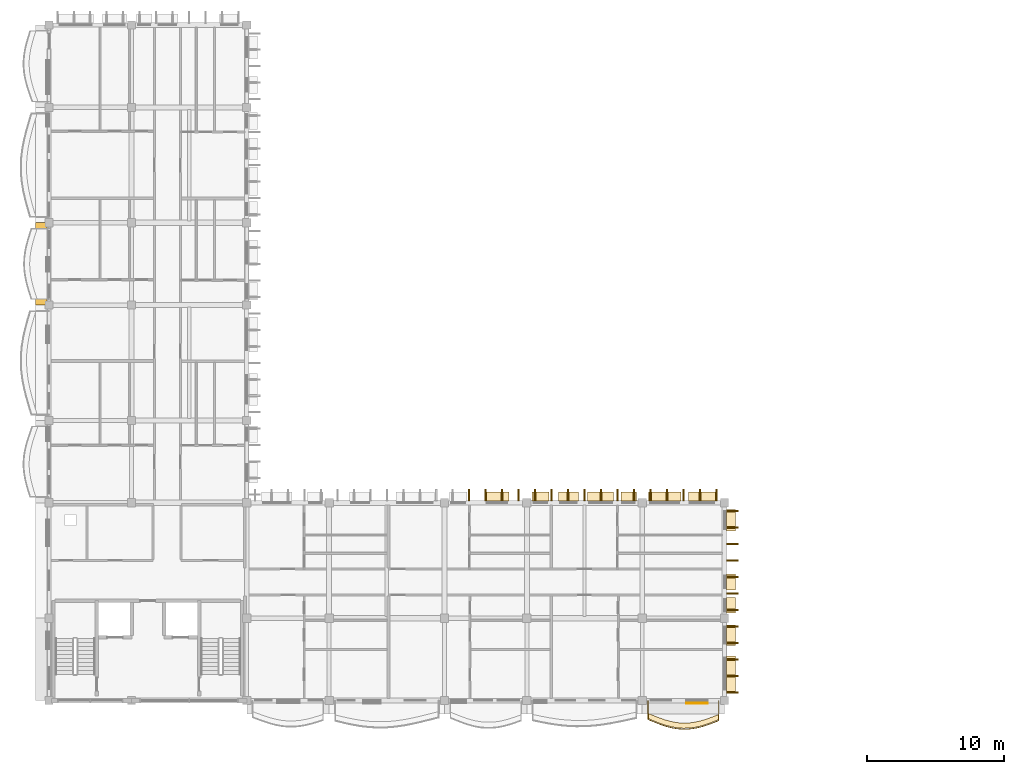
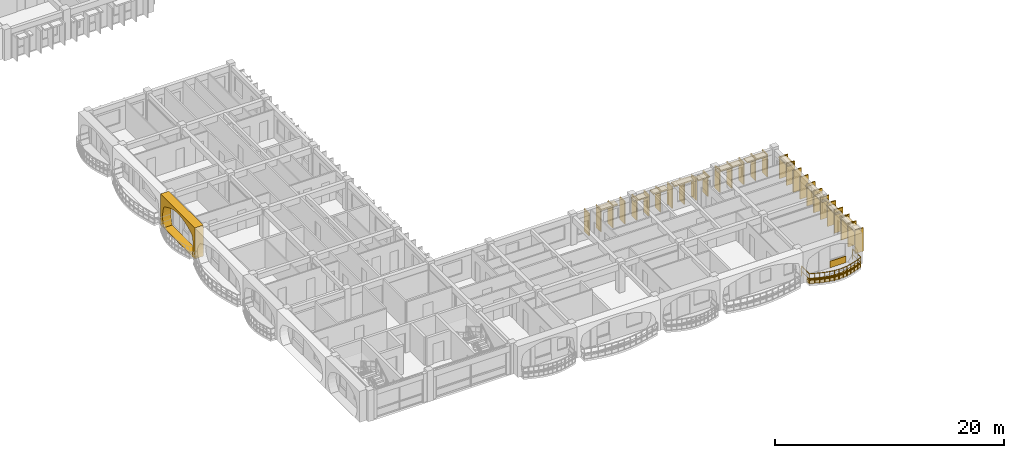
# One storey, part 45 of 70: 43 coverings, 1 railing.
"""IFC4 building model written with IfcOpenShell, lengths in metres."""

from ifc_helpers import new_model, si_unit, direction, frame, origin, origin_2d, place, context, subcontext, project, spatial, polyline, rectangle, outline, extrude, material, layer, layer_set, type_object, element, save


model = new_model("IFC4")

# Units and contexts
model_context = context("Model", 3, precision=1e-05, world=origin(), true_north=direction((0.0, 1.0)))
body_context = subcontext(model_context, "Body", "Model", "MODEL_VIEW")
ifc_project = project(units=[si_unit("LENGTHUNIT", "METRE"), si_unit("AREAUNIT", "SQUARE_METRE"), si_unit("VOLUMEUNIT", "CUBIC_METRE"), si_unit("PLANEANGLEUNIT", "RADIAN"), si_unit("MASSUNIT", "GRAM", prefix="KILO"), si_unit("THERMODYNAMICTEMPERATUREUNIT", "KELVIN")], contexts=[model_context])

# Site, building, storey
site_placement = place(None, origin())
site = spatial("IfcSite", under=ifc_project, at=site_placement, CompositionType="ELEMENT")
building_placement = place(site_placement, origin())
building = spatial("IfcBuilding", under=site, at=building_placement, Name="Thalorik Housing Commons", CompositionType="ELEMENT")
storey_placement = place(building_placement, frame((0.0, 0.0, 14.699951171875)))
storey = spatial("IfcBuildingStorey", under=building, at=storey_placement, Name="L04", CompositionType="ELEMENT", Elevation=14.699951171875)

# Coverings
ifc_material_1 = material(Name="Precast concrete C40/50", Category="concrete")
ifc_layer_1 = layer(ifc_material_1, 0.85009765625, Name="Precast concrete C40/50", Category="concrete")
ifc_layer_set_1 = layer_set([ifc_layer_1], Name="Precast concrete C40/50")
covering_type_1 = type_object("IfcCoveringType", Name="ARC-CLD-CUSH-850", PredefinedType="CLADDING", material=ifc_layer_set_1)
covering_1_placement = place(storey_placement, frame((7.830078125, 40.199951171875, 0.0), z_axis=(0.0, 0.0, 1.0), x_axis=(0.0, -1.0, 0.0)))
element("IfcCovering", 1, at=covering_1_placement, inside=storey, type_object=covering_type_1, Name="L04 White Precast Curved Cushion Bay Frame 3836", PredefinedType="CLADDING", context=body_context, shape_type="SweptSolid", body=[
    extrude(outline(polyline([(-3.0, 0.0), (3.0, 0.0), (3.0, 3.300048828125), (-3.0, 3.300048828125), (-3.0, 0.0)]), holes=[polyline([(2.5048828125, 0.02490234375), (2.609619140625, 0.394287109375), (2.672119140625, 0.76318359375), (2.693115234375, 1.132568359375), (2.672119140625, 1.501708984375), (2.609619140625, 1.870849609375), (2.5048828125, 2.239990234375), (2.09375, 2.4833984375), (1.6826171875, 2.6748046875), (1.271240234375, 2.82958984375), (0.860107421875, 2.94482421875), (0.44873046875, 3.01611328125), (0.03759765625, 3.0400390625), (-0.373779296875, 3.01611328125), (-0.784912109375, 2.94482421875), (-1.1962890625, 2.82958984375), (-1.607421875, 2.6748046875), (-2.018798828125, 2.4833984375), (-2.429931640625, 2.239990234375), (-2.55029296875, 1.870849609375), (-2.62255859375, 1.501708984375), (-2.646484375, 1.132568359375), (-2.62255859375, 0.76318359375), (-2.55029296875, 0.394287109375), (-2.429931640625, 0.02490234375), (2.5048828125, 0.02490234375)])]), frame((0.0, 0.425048828125, 0.0), z_axis=(0.0, -1.0, 0.0), x_axis=(1.0, 0.0, 0.0)), (0.0, 0.0, 1.0), 0.85009765625),
])
ifc_layer_2 = layer(ifc_material_1, 0.85009765625, Name="Precast concrete C40/50", Category="concrete")
ifc_layer_set_2 = layer_set([ifc_layer_2], Name="Precast concrete C40/50")
covering_type_2 = type_object("IfcCoveringType", Name="ARC-CLD-FIN-850", PredefinedType="CLADDING", material=ifc_layer_set_2)
for number, where, z_axis, x_axis, name in (
    (2, (58.169921875, 9.0, 0.0400390625), (0.0, 0.0, 1.0), (0.0, 1.0, 0.0), "L04 Courtyard Precast Vertical Brise-Soleil Fin 3856"),
    (3, (58.169921875, 10.199951171875, 0.0400390625), (0.0, 0.0, 1.0), (0.0, 1.0, 0.0), "L04 Courtyard Precast Vertical Brise-Soleil Fin 3857"),
    (4, (58.169921875, 11.39990234375, 0.0400390625), (0.0, 0.0, 1.0), (0.0, 1.0, 0.0), "L04 Courtyard Precast Vertical Brise-Soleil Fin 3858"),
    (5, (58.169921875, 12.60009765625, 0.0400390625), (0.0, 0.0, 1.0), (0.0, 1.0, 0.0), "L04 Courtyard Precast Vertical Brise-Soleil Fin 3859"),
    (6, (58.169921875, 13.800048828125, 0.0400390625), (0.0, 0.0, 1.0), (0.0, 1.0, 0.0), "L04 Courtyard Precast Vertical Brise-Soleil Fin 3860"),
):
    element("IfcCovering", number, at=place(storey_placement, frame(where, z_axis=z_axis, x_axis=x_axis)), inside=storey, type_object=covering_type_2, Name=name, PredefinedType="CLADDING", context=body_context, shape_type="SweptSolid", body=[
        extrude(rectangle(XDim=0.110107421875, YDim=0.85009765625, at=origin_2d()), origin(), (0.0, 0.0, 1.0), 2.4951171875),
    ])
for number, where, z_axis, x_axis, name in (
    (7, (58.169921875, 15.0, 0.0400390625), (0.0, 0.0, 1.0), (0.0, 1.0, 0.0), "L04 Courtyard Precast Vertical Brise-Soleil Fin 3863"),
    (8, (58.169921875, 16.199951171875, 0.0400390625), (0.0, 0.0, 1.0), (0.0, 1.0, 0.0), "L04 Courtyard Precast Vertical Brise-Soleil Fin 3864"),
    (9, (58.169921875, 17.39990234375, 0.0400390625), (0.0, 0.0, 1.0), (0.0, 1.0, 0.0), "L04 Courtyard Precast Vertical Brise-Soleil Fin 3865"),
    (10, (58.169921875, 18.60009765625, 0.0400390625), (0.0, 0.0, 1.0), (0.0, 1.0, 0.0), "L04 Courtyard Precast Vertical Brise-Soleil Fin 3866"),
    (11, (58.169921875, 19.800048828125, 0.0400390625), (0.0, 0.0, 1.0), (0.0, 1.0, 0.0), "L04 Courtyard Precast Vertical Brise-Soleil Fin 3867"),
    (12, (58.169921875, 21.0, 0.0400390625), (0.0, 0.0, 1.0), (0.0, 1.0, 0.0), "L04 Courtyard Precast Vertical Brise-Soleil Fin 3868"),
    (13, (58.169921875, 22.199951171875, 0.0400390625), (0.0, 0.0, 1.0), (0.0, 1.0, 0.0), "L04 Courtyard Precast Vertical Brise-Soleil Fin 3869"),
):
    element("IfcCovering", number, at=place(storey_placement, frame(where, z_axis=z_axis, x_axis=x_axis)), inside=storey, type_object=covering_type_2, Name=name, PredefinedType="CLADDING", context=body_context, shape_type="SweptSolid", body=[
        extrude(rectangle(XDim=0.110107421875, YDim=0.85009765625, at=origin_2d()), origin(), (0.0, 0.0, 1.0), 2.344970703125),
    ])
for number, where, z_axis, x_axis, name in (
    (14, (57.0, 23.3701171875, 0.0400390625), (0.0, 0.0, 1.0), (-1.0, 0.0, 0.0), "L04 Courtyard Precast Vertical Brise-Soleil Fin 3873"),
    (15, (55.800048828125, 23.3701171875, 0.0400390625), (0.0, 0.0, 1.0), (-1.0, 0.0, 0.0), "L04 Courtyard Precast Vertical Brise-Soleil Fin 3874"),
    (16, (54.60009765625, 23.3701171875, 0.0400390625), (0.0, 0.0, 1.0), (-1.0, 0.0, 0.0), "L04 Courtyard Precast Vertical Brise-Soleil Fin 3875"),
    (17, (53.39990234375, 23.3701171875, 0.0400390625), (0.0, 0.0, 1.0), (-1.0, 0.0, 0.0), "L04 Courtyard Precast Vertical Brise-Soleil Fin 3876"),
    (18, (52.199951171875, 23.3701171875, 0.0400390625), (0.0, 0.0, 1.0), (-1.0, 0.0, 0.0), "L04 Courtyard Precast Vertical Brise-Soleil Fin 3877"),
):
    element("IfcCovering", number, at=place(storey_placement, frame(where, z_axis=z_axis, x_axis=x_axis)), inside=storey, type_object=covering_type_2, Name=name, PredefinedType="CLADDING", context=body_context, shape_type="SweptSolid", body=[
        extrude(rectangle(XDim=0.110107421875, YDim=0.85009765625, at=origin_2d()), origin(), (0.0, 0.0, 1.0), 2.39501953125),
    ])
for number, where, z_axis, x_axis, name in (
    (19, (51.0, 23.3701171875, 0.0400390625), (0.0, 0.0, 1.0), (-1.0, 0.0, 0.0), "L04 Courtyard Precast Vertical Brise-Soleil Fin 3880"),
    (20, (49.800048828125, 23.3701171875, 0.0400390625), (0.0, 0.0, 1.0), (-1.0, 0.0, 0.0), "L04 Courtyard Precast Vertical Brise-Soleil Fin 3881"),
    (21, (48.60009765625, 23.3701171875, 0.0400390625), (0.0, 0.0, 1.0), (-1.0, 0.0, 0.0), "L04 Courtyard Precast Vertical Brise-Soleil Fin 3882"),
    (22, (47.39990234375, 23.3701171875, 0.0400390625), (0.0, 0.0, 1.0), (-1.0, 0.0, 0.0), "L04 Courtyard Precast Vertical Brise-Soleil Fin 3883"),
    (23, (46.199951171875, 23.3701171875, 0.0400390625), (0.0, 0.0, 1.0), (-1.0, 0.0, 0.0), "L04 Courtyard Precast Vertical Brise-Soleil Fin 3884"),
    (24, (45.0, 23.3701171875, 0.0400390625), (0.0, 0.0, 1.0), (-1.0, 0.0, 0.0), "L04 Courtyard Precast Vertical Brise-Soleil Fin 3885"),
    (25, (43.800048828125, 23.3701171875, 0.0400390625), (0.0, 0.0, 1.0), (-1.0, 0.0, 0.0), "L04 Courtyard Precast Vertical Brise-Soleil Fin 3886"),
):
    element("IfcCovering", number, at=place(storey_placement, frame(where, z_axis=z_axis, x_axis=x_axis)), inside=storey, type_object=covering_type_2, Name=name, PredefinedType="CLADDING", context=body_context, shape_type="SweptSolid", body=[
        extrude(rectangle(XDim=0.110107421875, YDim=0.85009765625, at=origin_2d()), origin(), (0.0, 0.0, 1.0), 2.294921875),
    ])
for number, where, z_axis, x_axis, name in (
    (26, (42.60009765625, 23.3701171875, 0.0400390625), (0.0, 0.0, 1.0), (-1.0, 0.0, 0.0), "L04 Courtyard Precast Vertical Brise-Soleil Fin 3891"),
    (27, (41.39990234375, 23.3701171875, 0.0400390625), (0.0, 0.0, 1.0), (-1.0, 0.0, 0.0), "L04 Courtyard Precast Vertical Brise-Soleil Fin 3892"),
    (28, (40.199951171875, 23.3701171875, 0.0400390625), (0.0, 0.0, 1.0), (-1.0, 0.0, 0.0), "L04 Courtyard Precast Vertical Brise-Soleil Fin 3893"),
    (29, (39.0, 23.3701171875, 0.0400390625), (0.0, 0.0, 1.0), (-1.0, 0.0, 0.0), "L04 Courtyard Precast Vertical Brise-Soleil Fin 3894"),
):
    element("IfcCovering", number, at=place(storey_placement, frame(where, z_axis=z_axis, x_axis=x_axis)), inside=storey, type_object=covering_type_2, Name=name, PredefinedType="CLADDING", context=body_context, shape_type="SweptSolid", body=[
        extrude(rectangle(XDim=0.110107421875, YDim=0.85009765625, at=origin_2d()), origin(), (0.0, 0.0, 1.0), 2.39501953125),
    ])
ifc_layer_3 = layer(ifc_material_1, 0.64990234375, Name="Precast concrete C40/50", Category="concrete")
ifc_layer_set_3 = layer_set([ifc_layer_3], Name="Precast concrete C40/50")
covering_type_3 = type_object("IfcCoveringType", Name="ARC-CLD-HOOD-650", PredefinedType="CLADDING", material=ifc_layer_set_3)
covering_2_placement = place(storey_placement, frame((58.070068359375, 10.353759765625, 2.2900390625), z_axis=(0.0, 0.0, 1.0), x_axis=(0.0, 1.0, 0.0)))
element("IfcCovering", 30, at=covering_2_placement, inside=storey, type_object=covering_type_3, Name="L04 Courtyard Precast Window Sun-Hood 3861", PredefinedType="CLADDING", context=body_context, shape_type="SweptSolid", body=[
    extrude(rectangle(XDim=2.56005859375, YDim=0.64990234375, at=origin_2d()), origin(), (0.0, 0.0, 1.0), 0.139892578125),
])
covering_3_placement = place(storey_placement, frame((58.070068359375, 13.163818359375, 2.09033203125), z_axis=(0.0, 0.0, 1.0), x_axis=(0.0, 1.0, 0.0)))
element("IfcCovering", 31, at=covering_3_placement, inside=storey, type_object=covering_type_3, Name="L04 Courtyard Precast Window Sun-Hood 3862", PredefinedType="CLADDING", context=body_context, shape_type="SweptSolid", body=[
    extrude(rectangle(XDim=1.489990234375, YDim=0.64990234375, at=origin_2d()), origin(), (0.0, 0.0, 1.0), 0.139892578125),
])
for number, where, z_axis, x_axis, name in (
    (32, (58.070068359375, 15.3349609375, 1.990234375), (0.0, 0.0, 1.0), (0.0, 1.0, 0.0), "L04 Courtyard Precast Window Sun-Hood 3870"),
    (33, (58.070068359375, 17.030029296875, 1.990234375), (0.0, 0.0, 1.0), (0.0, 1.0, 0.0), "L04 Courtyard Precast Window Sun-Hood 3871"),
):
    element("IfcCovering", number, at=place(storey_placement, frame(where, z_axis=z_axis, x_axis=x_axis)), inside=storey, type_object=covering_type_3, Name=name, PredefinedType="CLADDING", context=body_context, shape_type="SweptSolid", body=[
        extrude(rectangle(XDim=1.139892578125, YDim=0.64990234375, at=origin_2d()), origin(), (0.0, 0.0, 1.0), 0.139892578125),
    ])
covering_4_placement = place(storey_placement, frame((58.070068359375, 21.53271484375, 2.18994140625), z_axis=(0.0, 0.0, 1.0), x_axis=(0.0, 1.0, 0.0)))
element("IfcCovering", 34, at=covering_4_placement, inside=storey, type_object=covering_type_3, Name="L04 Courtyard Precast Window Sun-Hood 3872", PredefinedType="CLADDING", context=body_context, shape_type="SweptSolid", body=[
    extrude(rectangle(XDim=1.5400390625, YDim=0.64990234375, at=origin_2d()), origin(), (0.0, 0.0, 1.0), 0.139892578125),
])
covering_5_placement = place(storey_placement, frame((55.969970703125, 23.27001953125, 2.2099609375), z_axis=(0.0, 0.0, 1.0), x_axis=(-1.0, 0.0, 0.0)))
element("IfcCovering", 35, at=covering_5_placement, inside=storey, type_object=covering_type_3, Name="L04 Courtyard Precast Window Sun-Hood 3878", PredefinedType="CLADDING", context=body_context, shape_type="SweptSolid", body=[
    extrude(rectangle(XDim=2.02001953125, YDim=0.64990234375, at=origin_2d()), origin(), (0.0, 0.0, 1.0), 0.139892578125),
])
covering_6_placement = place(storey_placement, frame((53.22998046875, 23.27001953125, 2.22998046875), z_axis=(0.0, 0.0, 1.0), x_axis=(-1.0, 0.0, 0.0)))
element("IfcCovering", 36, at=covering_6_placement, inside=storey, type_object=covering_type_3, Name="L04 Courtyard Precast Window Sun-Hood 3879", PredefinedType="CLADDING", context=body_context, shape_type="SweptSolid", body=[
    extrude(rectangle(XDim=2.360107421875, YDim=0.64990234375, at=origin_2d()), origin(), (0.0, 0.0, 1.0), 0.139892578125),
])
covering_7_placement = place(storey_placement, frame((50.609375, 23.27001953125, 1.990234375), z_axis=(0.0, 0.0, 1.0), x_axis=(-1.0, 0.0, 0.0)))
element("IfcCovering", 37, at=covering_7_placement, inside=storey, type_object=covering_type_3, Name="L04 Courtyard Precast Window Sun-Hood 3887", PredefinedType="CLADDING", context=body_context, shape_type="SweptSolid", body=[
    extrude(rectangle(XDim=1.139892578125, YDim=0.64990234375, at=origin_2d()), origin(), (0.0, 0.0, 1.0), 0.139892578125),
])
covering_8_placement = place(storey_placement, frame((48.566650390625, 23.27001953125, 2.22509765625), z_axis=(0.0, 0.0, 1.0), x_axis=(-1.0, 0.0, 0.0)))
element("IfcCovering", 38, at=covering_8_placement, inside=storey, type_object=covering_type_3, Name="L04 Courtyard Precast Window Sun-Hood 3888", PredefinedType="CLADDING", context=body_context, shape_type="SweptSolid", body=[
    extrude(rectangle(XDim=1.919921875, YDim=0.64990234375, at=origin_2d()), origin(), (0.0, 0.0, 1.0), 0.139892578125),
])
covering_9_placement = place(storey_placement, frame((46.22216796875, 23.27001953125, 2.14013671875), z_axis=(0.0, 0.0, 1.0), x_axis=(-1.0, 0.0, 0.0)))
element("IfcCovering", 39, at=covering_9_placement, inside=storey, type_object=covering_type_3, Name="L04 Courtyard Precast Window Sun-Hood 3889", PredefinedType="CLADDING", context=body_context, shape_type="SweptSolid", body=[
    extrude(rectangle(XDim=1.43994140625, YDim=0.64990234375, at=origin_2d()), origin(), (0.0, 0.0, 1.0), 0.139892578125),
])
covering_10_placement = place(storey_placement, frame((44.18505859375, 23.27001953125, 2.0400390625), z_axis=(0.0, 0.0, 1.0), x_axis=(-1.0, 0.0, 0.0)))
element("IfcCovering", 40, at=covering_10_placement, inside=storey, type_object=covering_type_3, Name="L04 Courtyard Precast Window Sun-Hood 3890", PredefinedType="CLADDING", context=body_context, shape_type="SweptSolid", body=[
    extrude(rectangle(XDim=1.239990234375, YDim=0.64990234375, at=origin_2d()), origin(), (0.0, 0.0, 1.0), 0.139892578125),
])
covering_11_placement = place(storey_placement, frame((41.011474609375, 23.27001953125, 2.2900390625), z_axis=(0.0, 0.0, 1.0), x_axis=(-1.0, 0.0, 0.0)))
element("IfcCovering", 41, at=covering_11_placement, inside=storey, type_object=covering_type_3, Name="L04 Courtyard Precast Window Sun-Hood 3896", PredefinedType="CLADDING", context=body_context, shape_type="SweptSolid", body=[
    extrude(rectangle(XDim=1.739990234375, YDim=0.64990234375, at=origin_2d()), origin(), (0.0, 0.0, 1.0), 0.139892578125),
])
ifc_material_2 = material(Name="Mineral ochre architectural terracotta panel", Category="masonry")
ifc_layer_4 = layer(ifc_material_2, 0.06494140625, Name="Mineral ochre architectural terracotta panel", Category="masonry")
ifc_layer_set_4 = layer_set([ifc_layer_4], Name="Mineral ochre architectural terracotta panel")
covering_type_4 = type_object("IfcCoveringType", Name="ARC-CLD-YEL-65", PredefinedType="CLADDING", material=ifc_layer_set_4)
covering_12_placement = place(storey_placement, frame((55.590087890625, 8.217529296875, 0.05029296875), z_axis=(0.0, 0.0, 1.0), x_axis=(1.0, 0.0, 0.0)))
element("IfcCovering", 42, at=covering_12_placement, inside=storey, type_object=covering_type_4, Name="L04 De Stijl Recessed Window Spandrel 3855", PredefinedType="CLADDING", context=body_context, shape_type="SweptSolid", body=[
    extrude(rectangle(XDim=1.60009765625, YDim=0.06494140625, at=origin_2d()), origin(), (0.0, 0.0, 1.0), 0.699951171875),
])
ifc_material_3 = material(Name="Planted vegetated substrate and terracotta trough", Category="masonry")
ifc_layer_5 = layer(ifc_material_3, 0.340087890625, Name="Planted vegetated substrate and terracotta trough", Category="masonry")
ifc_layer_set_5 = layer_set([ifc_layer_5], Name="Planted vegetated substrate and terracotta trough")
covering_type_5 = type_object("IfcCoveringType", Name="ARC-COV-PLANTER", PredefinedType="USERDEFINED", material=ifc_layer_set_5)
covering_13_placement = place(storey_placement, origin())
element("IfcCovering", 43, at=covering_13_placement, inside=storey, type_object=covering_type_5, Name="L04 Balcony Slab-Edge Planted Trough 5596", ObjectType="PLANTER", PredefinedType="USERDEFINED", context=body_context, shape_type="SweptSolid", body=[
    extrude(outline(polyline([(52.02001953125, 7.0947265625), (52.449951171875, 6.914306640625), (52.8798828125, 6.74560546875), (53.31005859375, 6.599609375), (53.739990234375, 6.4853515625), (54.169921875, 6.410400390625), (54.60009765625, 6.379150390625), (55.030029296875, 6.393310546875), (55.4599609375, 6.451904296875), (55.889892578125, 6.551025390625), (56.320068359375, 6.68359375), (56.75, 6.8408203125), (57.179931640625, 7.0126953125), (57.179931640625, 7.392578125), (56.75, 7.220947265625), (56.320068359375, 7.0634765625), (55.889892578125, 6.930908203125), (55.4599609375, 6.83203125), (55.030029296875, 6.773193359375), (54.60009765625, 6.759033203125), (54.169921875, 6.790283203125), (53.739990234375, 6.865478515625), (53.31005859375, 6.9794921875), (52.8798828125, 7.125732421875), (52.449951171875, 7.294189453125), (52.02001953125, 7.474853515625), (52.02001953125, 7.0947265625)])), origin(), (0.0, 0.0, 1.0), 0.340087890625),
])

# Railing
ifc_material_4 = material(Name="Steel S355", Category="steel")
railing_type = type_object("IfcRailingType", Name="ARC-RL-BAL-112", PredefinedType="BALUSTRADE", material=ifc_material_4)
railing_placement = place(storey_placement, frame((52.02001953125, 8.39990234375, 0.0)))
element("IfcRailing", 44, at=railing_placement, inside=storey, type_object=railing_type, Name="L04 Cushion Balcony Guardrail 280", PredefinedType="BALUSTRADE", context=body_context, shape_type="SweptSolid", body=[
    extrude(rectangle(XDim=0.050048828125, YDim=0.050048828125, at=origin_2d()), frame((0.0, 0.0, 1.09521484375), z_axis=(0.0, -1.0, 0.0), x_axis=(1.0, 0.0, 0.0)), (0.0, 0.0, 1.0), 1.375),
    extrude(rectangle(XDim=0.050048828125, YDim=0.050048828125, at=origin_2d()), frame((0.0, 0.0, 0.53515625), z_axis=(0.0, -1.0, 0.0), x_axis=(1.0, 0.0, 0.0)), (0.0, 0.0, 1.0), 1.375),
    extrude(rectangle(XDim=0.050048828125, YDim=0.050048828125, at=origin_2d()), frame((0.0, -1.375, 1.09521484375), z_axis=(0.921911065704, -0.387401583544, 0.0), x_axis=(0.387401583544, 0.921911065704, 0.0)), (0.0, 0.0, 1.0), 0.46630859375),
    extrude(rectangle(XDim=0.050048828125, YDim=0.050048828125, at=origin_2d()), frame((0.0, -1.375, 0.53515625), z_axis=(0.921911065704, -0.387401583544, 0.0), x_axis=(0.387401583544, 0.921911065704, 0.0)), (0.0, 0.0, 1.0), 0.46630859375),
    extrude(rectangle(XDim=0.050048828125, YDim=0.050048828125, at=origin_2d()), frame((0.429931640625, -1.5556640625, 1.09521484375), z_axis=(0.931078868561, -0.364817955314, 0.0), x_axis=(0.364817955314, 0.931078868561, 0.0)), (0.0, 0.0, 1.0), 0.461669921875),
    extrude(rectangle(XDim=0.050048828125, YDim=0.050048828125, at=origin_2d()), frame((0.429931640625, -1.5556640625, 0.53515625), z_axis=(0.931078868561, -0.364817955314, 0.0), x_axis=(0.364817955314, 0.931078868561, 0.0)), (0.0, 0.0, 1.0), 0.461669921875),
    extrude(rectangle(XDim=0.050048828125, YDim=0.050048828125, at=origin_2d()), frame((0.85986328125, -1.72412109375, 1.09521484375), z_axis=(0.94678584509, -0.321864200459, 0.0), x_axis=(0.321864200459, 0.94678584509, 0.0)), (0.0, 0.0, 1.0), 0.454345703125),
    extrude(rectangle(XDim=0.050048828125, YDim=0.050048828125, at=origin_2d()), frame((0.85986328125, -1.72412109375, 0.53515625), z_axis=(0.94678584509, -0.321864200459, 0.0), x_axis=(0.321864200459, 0.94678584509, 0.0)), (0.0, 0.0, 1.0), 0.454345703125),
    extrude(rectangle(XDim=0.050048828125, YDim=0.050048828125, at=origin_2d()), frame((1.2900390625, -1.870361328125, 1.09521484375), z_axis=(0.966453204663, -0.256842759672, 0.0), x_axis=(0.256842759672, 0.966453204663, 0.0)), (0.0, 0.0, 1.0), 0.44482421875),
    extrude(rectangle(XDim=0.050048828125, YDim=0.050048828125, at=origin_2d()), frame((1.2900390625, -1.870361328125, 0.53515625), z_axis=(0.966453204663, -0.256842759672, 0.0), x_axis=(0.256842759672, 0.966453204663, 0.0)), (0.0, 0.0, 1.0), 0.44482421875),
    extrude(rectangle(XDim=0.050048828125, YDim=0.050048828125, at=origin_2d()), frame((1.719970703125, -1.984619140625, 1.09521484375), z_axis=(0.985141873648, -0.171742507217, 0.0), x_axis=(0.171742507217, 0.985141873648, 0.0)), (0.0, 0.0, 1.0), 0.4365234375),
    extrude(rectangle(XDim=0.050048828125, YDim=0.050048828125, at=origin_2d()), frame((1.719970703125, -1.984619140625, 0.53515625), z_axis=(0.985141873648, -0.171742507217, 0.0), x_axis=(0.171742507217, 0.985141873648, 0.0)), (0.0, 0.0, 1.0), 0.4365234375),
    extrude(rectangle(XDim=0.050048828125, YDim=0.050048828125, at=origin_2d()), frame((2.14990234375, -2.0595703125, 1.09521484375), z_axis=(0.997371770008, -0.07245379487, 0.0), x_axis=(0.07245379487, 0.997371770008, 0.0)), (0.0, 0.0, 1.0), 0.431396484375),
    extrude(rectangle(XDim=0.050048828125, YDim=0.050048828125, at=origin_2d()), frame((2.14990234375, -2.0595703125, 0.53515625), z_axis=(0.997371770008, -0.07245379487, 0.0), x_axis=(0.07245379487, 0.997371770008, 0.0)), (0.0, 0.0, 1.0), 0.431396484375),
    extrude(rectangle(XDim=0.050048828125, YDim=0.050048828125, at=origin_2d()), frame((2.580078125, -2.0908203125, 1.09521484375), z_axis=(0.999458056361, 0.032917982549, 0.0), x_axis=(-0.032917982549, 0.999458056361, 0.0)), (0.0, 0.0, 1.0), 0.43017578125),
    extrude(rectangle(XDim=0.050048828125, YDim=0.050048828125, at=origin_2d()), frame((2.580078125, -2.0908203125, 0.53515625), z_axis=(0.999458056361, 0.032917982549, 0.0), x_axis=(-0.032917982549, 0.999458056361, 0.0)), (0.0, 0.0, 1.0), 0.43017578125),
    extrude(rectangle(XDim=0.050048828125, YDim=0.050048828125, at=origin_2d()), frame((3.010009765625, -2.07666015625, 1.09521484375), z_axis=(0.990765004423, 0.135590213552, 0.0), x_axis=(-0.135590213552, 0.990765004423, 0.0)), (0.0, 0.0, 1.0), 0.433837890625),
    extrude(rectangle(XDim=0.050048828125, YDim=0.050048828125, at=origin_2d()), frame((3.010009765625, -2.07666015625, 0.53515625), z_axis=(0.990765004423, 0.135590213552, 0.0), x_axis=(-0.135590213552, 0.990765004423, 0.0)), (0.0, 0.0, 1.0), 0.433837890625),
    extrude(rectangle(XDim=0.050048828125, YDim=0.050048828125, at=origin_2d()), frame((3.43994140625, -2.017822265625, 1.09521484375), z_axis=(0.974558813179, 0.224131924666, 0.0), x_axis=(-0.224131924666, 0.974558813179, 0.0)), (0.0, 0.0, 1.0), 0.441162109375),
    extrude(rectangle(XDim=0.050048828125, YDim=0.050048828125, at=origin_2d()), frame((3.43994140625, -2.017822265625, 0.53515625), z_axis=(0.974558813179, 0.224131924666, 0.0), x_axis=(-0.224131924666, 0.974558813179, 0.0)), (0.0, 0.0, 1.0), 0.441162109375),
    extrude(rectangle(XDim=0.050048828125, YDim=0.050048828125, at=origin_2d()), frame((3.869873046875, -1.9189453125, 1.09521484375), z_axis=(0.955649921481, 0.294505055258, 0.0), x_axis=(-0.294505055258, 0.955649921481, 0.0)), (0.0, 0.0, 1.0), 0.4501953125),
    extrude(rectangle(XDim=0.050048828125, YDim=0.050048828125, at=origin_2d()), frame((3.869873046875, -1.9189453125, 0.53515625), z_axis=(0.955649921481, 0.294505055258, 0.0), x_axis=(-0.294505055258, 0.955649921481, 0.0)), (0.0, 0.0, 1.0), 0.4501953125),
    extrude(rectangle(XDim=0.050048828125, YDim=0.050048828125, at=origin_2d()), frame((4.300048828125, -1.786376953125, 1.09521484375), z_axis=(0.938996898156, 0.343925610057, 0.0), x_axis=(-0.343925610057, 0.938996898156, 0.0)), (0.0, 0.0, 1.0), 0.457763671875),
    extrude(rectangle(XDim=0.050048828125, YDim=0.050048828125, at=origin_2d()), frame((4.300048828125, -1.786376953125, 0.53515625), z_axis=(0.938996898156, 0.343925610057, 0.0), x_axis=(-0.343925610057, 0.938996898156, 0.0)), (0.0, 0.0, 1.0), 0.457763671875),
    extrude(rectangle(XDim=0.050048828125, YDim=0.050048828125, at=origin_2d()), frame((4.72998046875, -1.62890625, 1.09521484375), z_axis=(0.928731074037, 0.370754085774, 0.0), x_axis=(-0.370754085774, 0.928731074037, 0.0)), (0.0, 0.0, 1.0), 0.462890625),
    extrude(rectangle(XDim=0.050048828125, YDim=0.050048828125, at=origin_2d()), frame((4.72998046875, -1.62890625, 0.53515625), z_axis=(0.928731074037, 0.370754085774, 0.0), x_axis=(-0.370754085774, 0.928731074037, 0.0)), (0.0, 0.0, 1.0), 0.462890625),
    extrude(rectangle(XDim=0.050048828125, YDim=0.050048828125, at=origin_2d()), frame((5.159912109375, -1.457275390625, 1.09521484375), z_axis=(0.0, 1.0, 0.0), x_axis=(-1.0, 0.0, 0.0)), (0.0, 0.0, 1.0), 1.457275390625),
    extrude(rectangle(XDim=0.050048828125, YDim=0.050048828125, at=origin_2d()), frame((5.159912109375, -1.457275390625, 0.53515625), z_axis=(0.0, 1.0, 0.0), x_axis=(-1.0, 0.0, 0.0)), (0.0, 0.0, 1.0), 1.457275390625),
    extrude(rectangle(XDim=0.0419921875, YDim=0.0419921875, at=origin_2d()), origin(), (0.0, 0.0, 1.0), 1.070068359375),
    extrude(rectangle(XDim=0.0419921875, YDim=0.0419921875, at=origin_2d()), frame((0.0, -1.375, 0.0)), (0.0, 0.0, 1.0), 1.070068359375),
    extrude(rectangle(XDim=0.0419921875, YDim=0.0419921875, at=origin_2d()), frame((0.429931640625, -1.5556640625, 0.0)), (0.0, 0.0, 1.0), 1.070068359375),
    extrude(rectangle(XDim=0.0419921875, YDim=0.0419921875, at=origin_2d()), frame((0.85986328125, -1.72412109375, 0.0)), (0.0, 0.0, 1.0), 1.070068359375),
    extrude(rectangle(XDim=0.0419921875, YDim=0.0419921875, at=origin_2d()), frame((1.2900390625, -1.870361328125, 0.0)), (0.0, 0.0, 1.0), 1.070068359375),
    extrude(rectangle(XDim=0.0419921875, YDim=0.0419921875, at=origin_2d()), frame((1.719970703125, -1.984619140625, 0.0)), (0.0, 0.0, 1.0), 1.070068359375),
    extrude(rectangle(XDim=0.0419921875, YDim=0.0419921875, at=origin_2d()), frame((2.14990234375, -2.0595703125, 0.0)), (0.0, 0.0, 1.0), 1.070068359375),
    extrude(rectangle(XDim=0.0419921875, YDim=0.0419921875, at=origin_2d()), frame((2.580078125, -2.0908203125, 0.0)), (0.0, 0.0, 1.0), 1.070068359375),
    extrude(rectangle(XDim=0.0419921875, YDim=0.0419921875, at=origin_2d()), frame((3.010009765625, -2.07666015625, 0.0)), (0.0, 0.0, 1.0), 1.070068359375),
    extrude(rectangle(XDim=0.0419921875, YDim=0.0419921875, at=origin_2d()), frame((3.43994140625, -2.017822265625, 0.0)), (0.0, 0.0, 1.0), 1.070068359375),
    extrude(rectangle(XDim=0.0419921875, YDim=0.0419921875, at=origin_2d()), frame((3.869873046875, -1.9189453125, 0.0)), (0.0, 0.0, 1.0), 1.070068359375),
    extrude(rectangle(XDim=0.0419921875, YDim=0.0419921875, at=origin_2d()), frame((4.300048828125, -1.786376953125, 0.0)), (0.0, 0.0, 1.0), 1.070068359375),
    extrude(rectangle(XDim=0.0419921875, YDim=0.0419921875, at=origin_2d()), frame((4.72998046875, -1.62890625, 0.0)), (0.0, 0.0, 1.0), 1.070068359375),
    extrude(rectangle(XDim=0.0419921875, YDim=0.0419921875, at=origin_2d()), frame((5.159912109375, -1.457275390625, 0.0)), (0.0, 0.0, 1.0), 1.070068359375),
    extrude(rectangle(XDim=0.0419921875, YDim=0.0419921875, at=origin_2d()), frame((5.159912109375, 0.0, 0.0)), (0.0, 0.0, 1.0), 1.070068359375),
])

save(model, "model.ifc")
